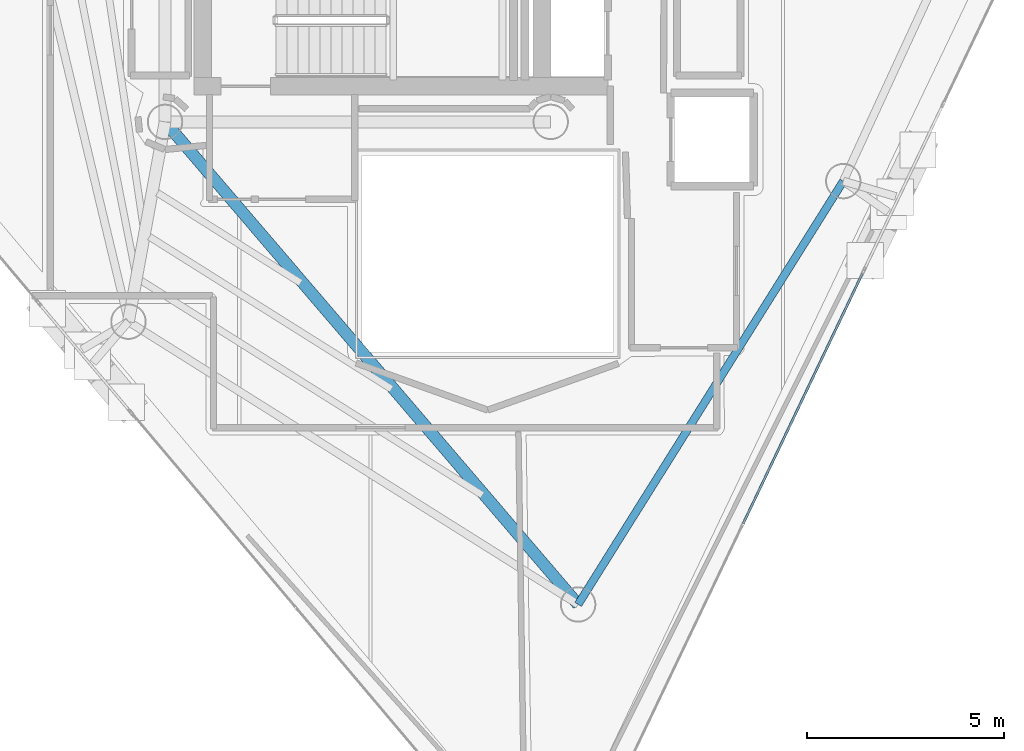
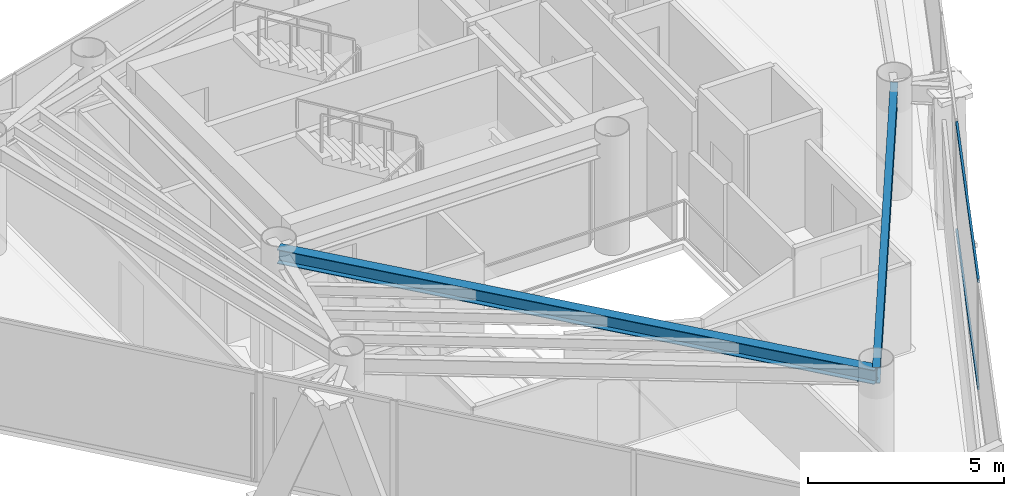
# One storey, part 5 of 20: 2 beams, 2 members, 1 element without a shape of its own.
"""IFC4 building model written with IfcOpenShell, lengths in metres."""

import ifcopenshell
import ifcopenshell.guid

model = None  # the IFC model being written
_history = None  # IfcOwnerHistory: only IFC2X3 demands one
_inside = {}  # id of a spatial element -> (the spatial element, [elements in it])
_under = {}  # id of a project, library or spatial element -> (it, [spatial elements below it])
_declared = {}  # id of a project -> (the project, [libraries it declares])
_typed = {}  # id of a type object -> (the type object, [elements of that type])
_made_of = {}  # id of a material, layer set ... -> (it, [elements and type objects made of it])


def new_model(schema):
    """Start an empty IFC model of exactly this schema.

    Asked for "IFC4X3", IfcOpenShell would pick the latest addendum, in which some entities
    have other attributes; the version numbers below select the first issue.
    IFC2X3 requires an IfcOwnerHistory on every rooted entity: one is made here for all.
    """
    global model, _history
    if schema == "IFC4X3":
        model = ifcopenshell.file(schema_version=(4, 3, 0, 0))
    else:
        model = ifcopenshell.file(schema=schema)
    _inside.clear()
    _under.clear()
    _declared.clear()
    _typed.clear()
    _made_of.clear()
    _history = None
    if model.schema == "IFC2X3":
        org = make("IfcOrganization", Name="unknown")
        user = make(
            "IfcPersonAndOrganization",
            ThePerson=make("IfcPerson", FamilyName="unknown"),
            TheOrganization=org,
        )
        app = make(
            "IfcApplication",
            ApplicationDeveloper=org,
            Version="unknown",
            ApplicationFullName="unknown",
            ApplicationIdentifier="unknown",
        )
        _history = make(
            "IfcOwnerHistory",
            OwningUser=user,
            OwningApplication=app,
            ChangeAction="ADDED",
            CreationDate=0,
        )
    return model


def make(cls, **values):
    """One entity of the class cls with the attributes given. An attribute that is None is left unset."""
    return model.create_entity(
        cls, **{name: value for name, value in values.items() if value is not None}
    )


def rooted(cls, **values):
    """An entity with a GlobalId (a new one), such as an element, a storey or a relation."""
    return make(cls, GlobalId=ifcopenshell.guid.new(), OwnerHistory=_history, **values)


def si_unit(unit_type, name, prefix=None):
    """IfcSIUnit, for example si_unit("LENGTHUNIT", "METRE", prefix="MILLI")."""
    return make("IfcSIUnit", UnitType=unit_type, Prefix=prefix, Name=name)


def assignment(units):
    """IfcUnitAssignment: the units of a project."""
    return None if units is None else make("IfcUnitAssignment", Units=units)


def point(xyz):
    """IfcCartesianPoint."""
    return None if xyz is None else make("IfcCartesianPoint", Coordinates=xyz)


def direction(xyz):
    """IfcDirection."""
    return None if xyz is None else make("IfcDirection", DirectionRatios=xyz)


def frame(location, z_axis=None, x_axis=None):
    """IfcAxis2Placement3D, a coordinate frame: its origin and axes. An axis left out is left unset."""
    return make(
        "IfcAxis2Placement3D",
        Location=point(location),
        Axis=direction(z_axis),
        RefDirection=direction(x_axis),
    )


def frame_2d(location, x_axis=None):
    """IfcAxis2Placement2D, a coordinate frame in the plane: its origin and x axis."""
    return make(
        "IfcAxis2Placement2D", Location=point(location), RefDirection=direction(x_axis)
    )


def origin():
    """The frame at (0, 0, 0) with its axes left unset."""
    return frame((0.0, 0.0, 0.0))


def origin_2d():
    """The frame at (0, 0) in the plane with its x axis left unset."""
    return frame_2d((0.0, 0.0))


def place(relative_to, where):
    """IfcLocalPlacement: puts the frame where relative to a parent placement (None: the world)."""
    return make(
        "IfcLocalPlacement", PlacementRelTo=relative_to, RelativePlacement=where
    )


def context(
    kind, dimensions, precision=None, world=None, true_north=None, identifier=None
):
    """IfcGeometricRepresentationContext, for example the 3D "Model" context."""
    return make(
        "IfcGeometricRepresentationContext",
        ContextIdentifier=identifier,
        ContextType=kind,
        CoordinateSpaceDimension=dimensions,
        Precision=precision,
        WorldCoordinateSystem=world,
        TrueNorth=true_north,
    )


def subcontext(parent, identifier, kind, view, scale=None):
    """IfcGeometricRepresentationSubContext, for example "Body" below "Model"."""
    return make(
        "IfcGeometricRepresentationSubContext",
        ContextIdentifier=identifier,
        ContextType=kind,
        ParentContext=parent,
        TargetScale=scale,
        TargetView=view,
    )


def project(units=None, contexts=None):
    """IfcProject with its units and contexts."""
    return rooted(
        "IfcProject",
        Name="project",
        RepresentationContexts=contexts,
        UnitsInContext=assignment(units),
    )


def spatial(cls, under=None, at=None, **own):
    """A site, building, storey or space (cls), placed at a placement, below another one or the project."""
    s = rooted(cls, ObjectPlacement=at, **own)
    if under is not None:
        _under.setdefault(under.id(), (under, []))[1].append(s)
    return s


def profile(cls, at=None, kind="AREA", **sizes):
    """A parametric profile (cls). Its sizes go by their IFC names, for example OverallWidth=200.0."""
    return make(cls, ProfileType=kind, Position=at, **sizes)


def hollow_rectangle(**sizes):
    """IfcRectangleHollowProfileDef."""
    return profile("IfcRectangleHollowProfileDef", **sizes)


def i_section(**sizes):
    """IfcIShapeProfileDef."""
    return profile("IfcIShapeProfileDef", **sizes)


def extrude(swept, where, along, depth):
    """IfcExtrudedAreaSolid: the profile swept, set in the frame where, extruded along a direction by depth."""
    return make(
        "IfcExtrudedAreaSolid",
        SweptArea=swept,
        Position=where,
        ExtrudedDirection=direction(along),
        Depth=depth,
    )


def shape(context_of_items, identifier, shape_type, items):
    """IfcShapeRepresentation: the items that make up one representation, for example the "Body"."""
    return make(
        "IfcShapeRepresentation",
        ContextOfItems=context_of_items,
        RepresentationIdentifier=identifier,
        RepresentationType=shape_type,
        Items=items,
    )


def material(Name=None, Category=None):
    """IfcMaterial."""
    return make("IfcMaterial", Name=Name, Category=Category)


def layer(
    of_material, thickness, ventilated=None, Name=None, Category=None, Priority=None
):
    """IfcMaterialLayer: one layer of a wall or slab, of a material (None: an air gap)."""
    return make(
        "IfcMaterialLayer",
        Material=of_material,
        LayerThickness=thickness,
        IsVentilated=ventilated,
        Name=Name,
        Category=Category,
        Priority=Priority,
    )


def layer_set(layers, Name=None):
    """IfcMaterialLayerSet."""
    return make("IfcMaterialLayerSet", MaterialLayers=layers, LayerSetName=Name)


def material_profile(
    of_material, cross_section, Name=None, Category=None, Priority=None
):
    """IfcMaterialProfile: a cross section and its material."""
    return make(
        "IfcMaterialProfile",
        Name=Name,
        Material=of_material,
        Profile=cross_section,
        Priority=Priority,
        Category=Category,
    )


def profile_set(profiles, Name=None, composite=None):
    """IfcMaterialProfileSet."""
    return make(
        "IfcMaterialProfileSet",
        Name=Name,
        MaterialProfiles=profiles,
        CompositeProfile=composite,
    )


def made_of(thing, what):
    """Note that an element or type object is made of a material, layer set ...; save() writes the relation."""
    if what is not None:
        _made_of.setdefault(what.id(), (what, []))[1].append(thing)
    return thing


def type_object(cls, material=None, **own):
    """A type object (cls), such as IfcWallType, which elements share."""
    return made_of(rooted(cls, **own), material)


def element(
    cls,
    number,
    at=None,
    inside=None,
    cuts=None,
    type_object=None,
    material=None,
    context=None,
    identifier="Body",
    shape_type=None,
    held_by="IfcProductDefinitionShape",
    body=None,
    shapes=None,
    **own,
):
    """One element of the class cls, such as IfcWall. Its Tag is "e" and its number.

    at: its placement. inside: the storey or other place that contains it. cuts: it is an
    opening in that element (IfcRelVoidsElement). A single representation is given by context,
    identifier, shape_type and body (its items); several are given by shapes. held_by: the class
    of the entity that holds the representations. save() writes the other relations.
    """
    e = rooted(cls, Tag="e%d" % number, ObjectPlacement=at, **own)
    if body is not None:
        shapes = [shape(context, identifier, shape_type, body)]
    if shapes is not None:
        e.Representation = make(held_by, Representations=shapes)
    if inside is not None:
        _inside.setdefault(inside.id(), (inside, []))[1].append(e)
    if cuts is not None:
        rooted(
            "IfcRelVoidsElement", RelatingBuildingElement=cuts, RelatedOpeningElement=e
        )
    if type_object is not None:
        _typed.setdefault(type_object.id(), (type_object, []))[1].append(e)
    return made_of(e, material)


def aggregate(whole, parts):
    """IfcRelAggregates: a whole, such as a stair, and the parts it consists of."""
    return rooted("IfcRelAggregates", RelatingObject=whole, RelatedObjects=parts)


def save(model, path):
    """Write the relations noted so far, then the file.

    IfcRelAggregates (storeys below a building ...), IfcRelContainedInSpatialStructure (elements
    in a storey), IfcRelDefinesByType, IfcRelAssociatesMaterial and IfcRelDeclares: one each for
    every whole, place, type object, material and project.
    """
    for whole, parts in _under.values():
        aggregate(whole, parts)
    for where, things in _inside.values():
        rooted(
            "IfcRelContainedInSpatialStructure",
            RelatedElements=things,
            RelatingStructure=where,
        )
    for kind, things in _typed.values():
        rooted("IfcRelDefinesByType", RelatedObjects=things, RelatingType=kind)
    for what, things in _made_of.values():
        rooted("IfcRelAssociatesMaterial", RelatedObjects=things, RelatingMaterial=what)
    for by, libraries in _declared.values():
        rooted("IfcRelDeclares", RelatingContext=by, RelatedDefinitions=libraries)
    model.write(path)


model = new_model("IFC4")

# Units and contexts
model_context = context("Model", 3, precision=1e-05, world=origin(), true_north=direction((0.0, 1.0)))
body_context = subcontext(model_context, "Body", "Model", "MODEL_VIEW")
ifc_project = project(units=[si_unit("LENGTHUNIT", "METRE"), si_unit("AREAUNIT", "SQUARE_METRE"), si_unit("VOLUMEUNIT", "CUBIC_METRE"), si_unit("PLANEANGLEUNIT", "RADIAN"), si_unit("MASSUNIT", "GRAM", prefix="KILO")], contexts=[model_context])

# Site, building, storey
site_placement = place(None, origin())
site = spatial("IfcSite", under=ifc_project, at=site_placement, CompositionType="ELEMENT")
building_placement = place(site_placement, origin())
building = spatial("IfcBuilding", under=site, at=building_placement, Name="Qianvela Tower", CompositionType="ELEMENT")
storey_placement = place(building_placement, frame((0.0, 0.0, 317.60009765625)))
storey = spatial("IfcBuildingStorey", under=building, at=storey_placement, Name="L82", CompositionType="ELEMENT", Elevation=317.60009765625)

# Beams
ifc_material_1 = material(Name="Steel Q355B", Category="steel")
ifc_material_profile_1 = material_profile(ifc_material_1, i_section(OverallWidth=0.300048828125, OverallDepth=0.43994140625, WebThickness=0.010986328125, FlangeThickness=0.01806640625, at=origin_2d()), Name="HM440x300x11x18")
ifc_profile_set_1 = profile_set([ifc_material_profile_1], Name="Steel Q355B")
beam_type_1 = type_object("IfcBeamType", Name="BM-HM440-COLL", PredefinedType="BEAM", material=ifc_profile_set_1)
beam_1_placement = place(storey_placement, frame((28.60009765625, 23.85009765625, 3.177978515625), z_axis=(0.650269293807, -0.75970378802, 0.0), x_axis=(0.75970378802, 0.650269293807, 0.0)))
element("IfcBeam", 1, at=beam_1_placement, inside=storey, type_object=beam_type_1, Name="L82 Radial Primary Floor Girder 5", PredefinedType="BEAM", context=body_context, shape_type="SweptSolid", body=[
    extrude(i_section(OverallWidth=0.300048828125, OverallDepth=0.43994140625, WebThickness=0.010986328125, FlangeThickness=0.01806640625, at=origin_2d()), origin(), (0.0, 0.0, 1.0), 16.140869140625),
])
ifc_material_2 = material(Name="Steel Q355B", Category="steel")
ifc_material_profile_2 = material_profile(ifc_material_2, i_section(OverallWidth=0.199951171875, OverallDepth=0.5, WebThickness=0.010009765625, FlangeThickness=0.01611328125, at=origin_2d()), Name="HN500x200x10x16")
ifc_profile_set_2 = profile_set([ifc_material_profile_2], Name="Steel Q355B")
beam_type_2 = type_object("IfcBeamType", Name="BM-HN500-GIRD", PredefinedType="BEAM", material=ifc_profile_set_2)
beam_2_placement = place(storey_placement, frame((39.095947265625, 11.587890625, 3.14794921875), z_axis=(0.530840654868, 0.847471650935, 0.0), x_axis=(-0.847471650935, 0.530840654868, 0.0)))
element("IfcBeam", 2, at=beam_2_placement, inside=storey, type_object=beam_type_2, Name="L82 Perimeter Ring Spandrel Girder 5", PredefinedType="BEAM", context=body_context, shape_type="SweptSolid", body=[
    extrude(i_section(OverallWidth=0.199951171875, OverallDepth=0.5, WebThickness=0.010009765625, FlangeThickness=0.01611328125, at=origin_2d()), origin(), (0.0, 0.0, 1.0), 12.693115234375),
])

# Curtain wall, members
ifc_material_3 = material(Name="Anodised Architectural Aluminium and Low-E Glass", Category="aluminium")
ifc_layer = layer(ifc_material_3, 0.14990234375)
ifc_layer_set = layer_set([ifc_layer], Name="Anodised Architectural Aluminium and Low-E Glass")
curtain_wall_type = type_object("IfcCurtainWallType", Name="CW-COLIV-Z78", PredefinedType="USERDEFINED", material=ifc_layer_set)
curtain_wall_placement = place(storey_placement, origin())
curtain_wall = element("IfcCurtainWall", 3, at=curtain_wall_placement, inside=storey, type_object=curtain_wall_type, Name="L82 CW-COLIV-Z78 Curtain Wall 06A", ObjectType="CURTAIN_WALL_SYSTEM", PredefinedType="USERDEFINED")
ifc_material_4 = material(Name="Anodised Architectural Aluminium 6063-T6", Category="aluminium")
ifc_material_profile_3 = material_profile(ifc_material_4, hollow_rectangle(XDim=0.06005859375, YDim=0.114990234375, WallThickness=0.00390625, at=origin_2d()), Name="ALU-TRAN-60x115")
ifc_profile_set_3 = profile_set([ifc_material_profile_3], Name="Anodised Architectural Aluminium 6063-T6")
member_type = type_object("IfcMemberType", Name="CW-COLIV-Z78-TRAN", PredefinedType="USERDEFINED", material=ifc_profile_set_3)
member_1_placement = place(storey_placement, frame((43.291748046875, 13.643310546875, 0.02978515625), z_axis=(0.430295917966, 0.902687887911, 0.0), x_axis=(-0.902687887911, 0.430295917966, 0.0)))
member_1 = element("IfcMember", 4, at=member_1_placement, type_object=member_type, Name="CW-6 transom 2.1", ObjectType="TRANSOM", PredefinedType="USERDEFINED", context=body_context, shape_type="SweptSolid", body=[
    extrude(hollow_rectangle(XDim=0.06005859375, YDim=0.114990234375, WallThickness=0.00390625, at=origin_2d()), origin(), (0.0, 0.0, 1.0), 7.034912109375),
])
member_2_placement = place(storey_placement, frame((43.291748046875, 13.643310546875, 3.369873046875), z_axis=(0.430295917966, 0.902687887911, 0.0), x_axis=(-0.902687887911, 0.430295917966, 0.0)))
member_2 = element("IfcMember", 5, at=member_2_placement, type_object=member_type, Name="CW-6 transom 2.2", ObjectType="TRANSOM", PredefinedType="USERDEFINED", context=body_context, shape_type="SweptSolid", body=[
    extrude(hollow_rectangle(XDim=0.06005859375, YDim=0.114990234375, WallThickness=0.00390625, at=origin_2d()), origin(), (0.0, 0.0, 1.0), 7.034912109375),
])
aggregate(curtain_wall, [member_1, member_2])

save(model, "model.ifc")
